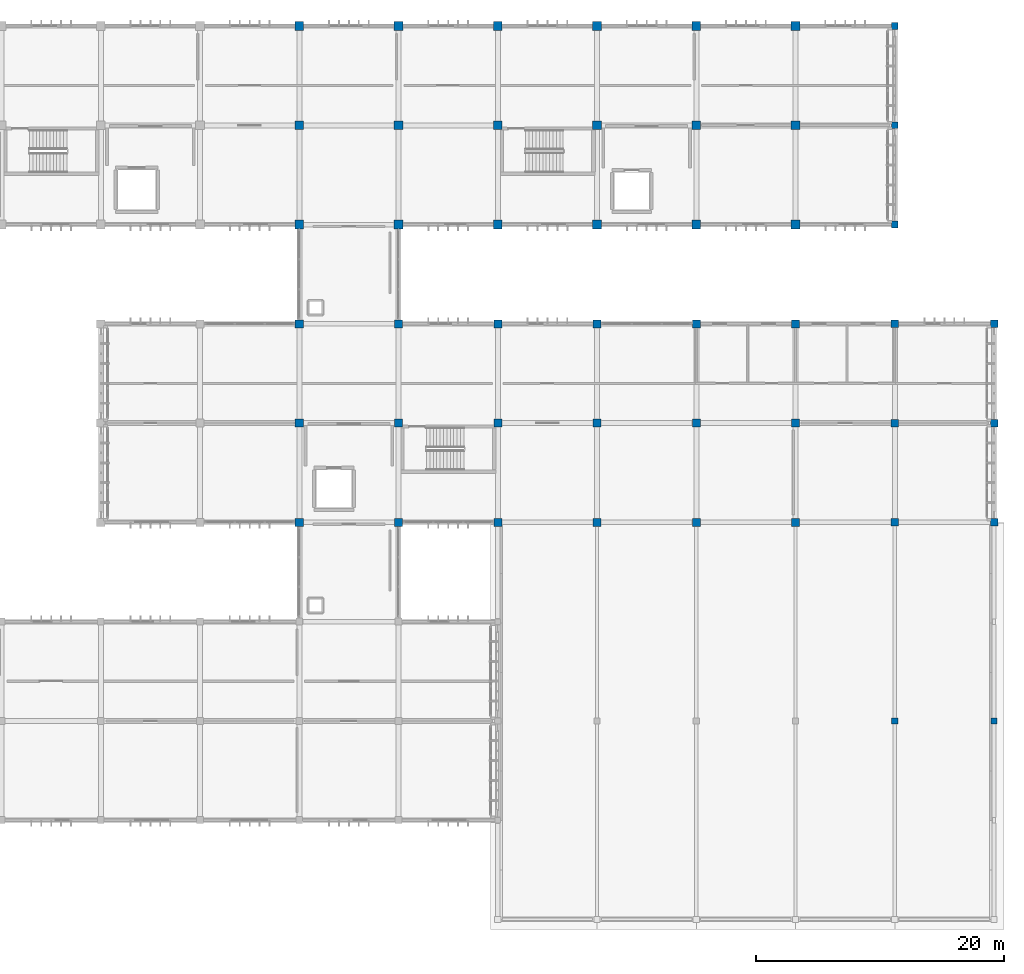
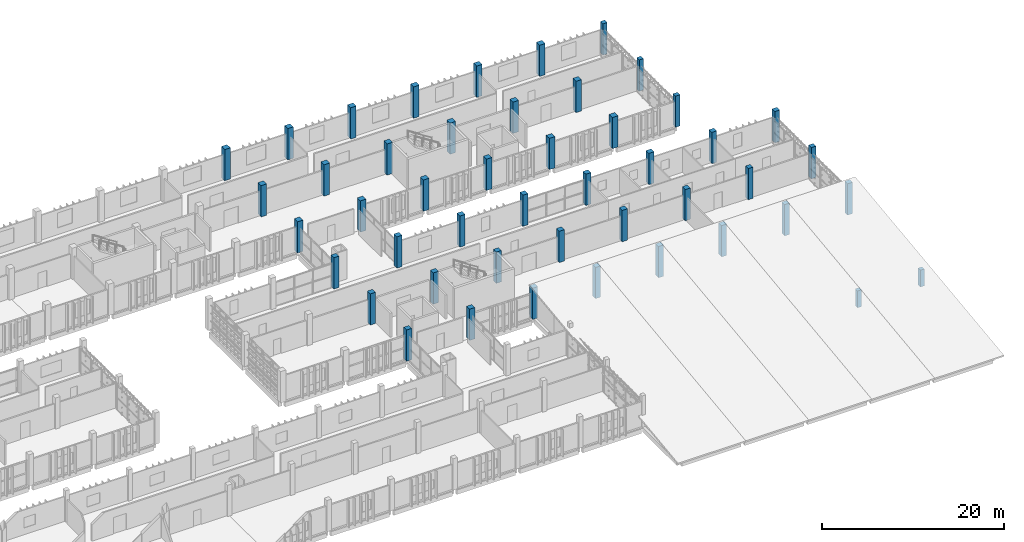
# One storey, part 6 of 83: 47 columns.
"""IFC4 building model written with IfcOpenShell, lengths in metres."""

from ifc_helpers import new_model, si_unit, direction, frame, origin, origin_2d, place, context, subcontext, project, spatial, rectangle, extrude, material, material_profile, profile_set, type_object, element, save


model = new_model("IFC4")

# Units and contexts
model_context = context("Model", 3, precision=1e-05, world=origin(), true_north=direction((0.0, 1.0)))
body_context = subcontext(model_context, "Body", "Model", "MODEL_VIEW")
ifc_project = project(units=[si_unit("LENGTHUNIT", "METRE"), si_unit("AREAUNIT", "SQUARE_METRE"), si_unit("VOLUMEUNIT", "CUBIC_METRE"), si_unit("PLANEANGLEUNIT", "RADIAN"), si_unit("MASSUNIT", "GRAM", prefix="KILO")], contexts=[model_context])

# Site, building, storey
site_placement = place(None, origin())
site = spatial("IfcSite", under=ifc_project, at=site_placement, CompositionType="ELEMENT")
building_placement = place(site_placement, origin())
building = spatial("IfcBuilding", under=site, at=building_placement, Name="Jelvoka-Kovrelna Polytechnic", CompositionType="ELEMENT")
storey_placement = place(building_placement, frame((0.0, 0.0, 13.800048828125)))
storey = spatial("IfcBuildingStorey", under=building, at=storey_placement, Name="L04", CompositionType="ELEMENT", Elevation=13.800048828125)

# Columns
ifc_material_1 = material(Name="Concrete C40/50", Category="concrete")
ifc_material_profile_1 = material_profile(ifc_material_1, rectangle(XDim=0.5, YDim=0.5, at=origin_2d()), Name="RC 500x500")
ifc_profile_set_1 = profile_set([ifc_material_profile_1], Name="Concrete C40/50")
column_type_1 = type_object("IfcColumnType", Name="Col_RC_500", PredefinedType="COLUMN", material=ifc_profile_set_1)
for number, where, z_axis, x_axis, name in (
    (1, (192.0, 16.0, 0.0), (0.0, 0.0, 1.0), (1.0, 0.0, 0.0), "L04 V5 sloped roof column 1687"),
    (2, (200.0, 16.0, 0.0), (0.0, 0.0, 1.0), (1.0, 0.0, 0.0), "L04 V5 sloped roof column 1689"),
):
    element("IfcColumn", number, at=place(storey_placement, frame(where, z_axis=z_axis, x_axis=x_axis)), inside=storey, type_object=column_type_1, Name=name, PredefinedType="COLUMN", context=body_context, shape_type="SweptSolid", body=[
        extrude(rectangle(XDim=0.5, YDim=0.5, at=origin_2d()), origin(), (0.0, 0.0, 1.0), 2.25),
    ])
ifc_material_2 = material(Name="Concrete C40/50", Category="concrete")
ifc_material_profile_2 = material_profile(ifc_material_2, rectangle(XDim=0.550048828125, YDim=0.550048828125, at=origin_2d()), Name="RC 550x550")
ifc_profile_set_2 = profile_set([ifc_material_profile_2], Name="Concrete C40/50")
column_type_2 = type_object("IfcColumnType", Name="Col_RC_550", PredefinedType="COLUMN", material=ifc_profile_set_2)
for number, where, z_axis, x_axis, name in (
    (3, (192.0, 56.0, 0.0), (0.0, 0.0, 1.0), (1.0, 0.0, 0.0), "L04 column 1131"),
    (4, (192.0, 64.0, 0.0), (0.0, 0.0, 1.0), (1.0, 0.0, 0.0), "L04 column 1298"),
    (5, (192.0, 72.0, 0.0), (0.0, 0.0, 1.0), (1.0, 0.0, 0.0), "L04 column 1459"),
):
    element("IfcColumn", number, at=place(storey_placement, frame(where, z_axis=z_axis, x_axis=x_axis)), inside=storey, type_object=column_type_2, Name=name, PredefinedType="COLUMN", context=body_context, shape_type="SweptSolid", body=[
        extrude(rectangle(XDim=0.550048828125, YDim=0.550048828125, at=origin_2d()), origin(), (0.0, 0.0, 1.0), 4.199951171875),
    ])
ifc_material_3 = material(Name="Concrete C40/50", Category="concrete")
ifc_material_profile_3 = material_profile(ifc_material_3, rectangle(XDim=0.60009765625, YDim=0.60009765625, at=origin_2d()), Name="RC 600x600")
ifc_profile_set_3 = profile_set([ifc_material_profile_3], Name="Concrete C40/50")
column_type_3 = type_object("IfcColumnType", Name="Col_RC_600", PredefinedType="COLUMN", material=ifc_profile_set_3)
for number, where, z_axis, x_axis, name in (
    (6, (192.0, 32.0, 0.0), (0.0, 0.0, 1.0), (1.0, 0.0, 0.0), "L04 column 0562"),
    (7, (200.0, 32.0, 0.0), (0.0, 0.0, 1.0), (1.0, 0.0, 0.0), "L04 column 0569"),
    (8, (192.0, 40.0, 0.0), (0.0, 0.0, 1.0), (1.0, 0.0, 0.0), "L04 column 0744"),
    (9, (200.0, 40.0, 0.0), (0.0, 0.0, 1.0), (1.0, 0.0, 0.0), "L04 column 0751"),
    (10, (192.0, 48.0, 0.0), (0.0, 0.0, 1.0), (1.0, 0.0, 0.0), "L04 column 0908"),
    (11, (200.0, 48.0, 0.0), (0.0, 0.0, 1.0), (1.0, 0.0, 0.0), "L04 column 0915"),
):
    element("IfcColumn", number, at=place(storey_placement, frame(where, z_axis=z_axis, x_axis=x_axis)), inside=storey, type_object=column_type_3, Name=name, PredefinedType="COLUMN", context=body_context, shape_type="SweptSolid", body=[
        extrude(rectangle(XDim=0.60009765625, YDim=0.60009765625, at=origin_2d()), origin(), (0.0, 0.0, 1.0), 4.199951171875),
    ])
ifc_material_4 = material(Name="Concrete C40/50", Category="concrete")
ifc_material_profile_4 = material_profile(ifc_material_4, rectangle(XDim=0.64990234375, YDim=0.64990234375, at=origin_2d()), Name="RC 650x650")
ifc_profile_set_4 = profile_set([ifc_material_profile_4], Name="Concrete C40/50")
column_type_4 = type_object("IfcColumnType", Name="Col_RC_650", PredefinedType="COLUMN", material=ifc_profile_set_4)
for number, where, z_axis, x_axis, name in (
    (12, (144.0, 32.0, 0.0), (0.0, 0.0, 1.0), (1.0, 0.0, 0.0), "L04 column 0514"),
    (13, (152.0, 32.0, 0.0), (0.0, 0.0, 1.0), (1.0, 0.0, 0.0), "L04 column 0522"),
    (14, (160.0, 32.0, 0.0), (0.0, 0.0, 1.0), (1.0, 0.0, 0.0), "L04 column 0530"),
    (15, (168.0, 32.0, 0.0), (0.0, 0.0, 1.0), (1.0, 0.0, 0.0), "L04 column 0538"),
    (16, (176.0, 32.0, 0.0), (0.0, 0.0, 1.0), (1.0, 0.0, 0.0), "L04 column 0546"),
    (17, (184.0, 32.0, 0.0), (0.0, 0.0, 1.0), (1.0, 0.0, 0.0), "L04 column 0554"),
    (18, (144.0, 40.0, 0.0), (0.0, 0.0, 1.0), (1.0, 0.0, 0.0), "L04 column 0696"),
    (19, (152.0, 40.0, 0.0), (0.0, 0.0, 1.0), (1.0, 0.0, 0.0), "L04 column 0704"),
    (20, (160.0, 40.0, 0.0), (0.0, 0.0, 1.0), (1.0, 0.0, 0.0), "L04 column 0712"),
    (21, (168.0, 40.0, 0.0), (0.0, 0.0, 1.0), (1.0, 0.0, 0.0), "L04 column 0720"),
    (22, (176.0, 40.0, 0.0), (0.0, 0.0, 1.0), (1.0, 0.0, 0.0), "L04 column 0728"),
    (23, (184.0, 40.0, 0.0), (0.0, 0.0, 1.0), (1.0, 0.0, 0.0), "L04 column 0736"),
    (24, (144.0, 48.0, 0.0), (0.0, 0.0, 1.0), (1.0, 0.0, 0.0), "L04 column 0860"),
    (25, (152.0, 48.0, 0.0), (0.0, 0.0, 1.0), (1.0, 0.0, 0.0), "L04 column 0868"),
    (26, (160.0, 48.0, 0.0), (0.0, 0.0, 1.0), (1.0, 0.0, 0.0), "L04 column 0876"),
    (27, (168.0, 48.0, 0.0), (0.0, 0.0, 1.0), (1.0, 0.0, 0.0), "L04 column 0884"),
    (28, (176.0, 48.0, 0.0), (0.0, 0.0, 1.0), (1.0, 0.0, 0.0), "L04 column 0892"),
    (29, (184.0, 48.0, 0.0), (0.0, 0.0, 1.0), (1.0, 0.0, 0.0), "L04 column 0900"),
):
    element("IfcColumn", number, at=place(storey_placement, frame(where, z_axis=z_axis, x_axis=x_axis)), inside=storey, type_object=column_type_4, Name=name, PredefinedType="COLUMN", context=body_context, shape_type="SweptSolid", body=[
        extrude(rectangle(XDim=0.64990234375, YDim=0.64990234375, at=origin_2d()), origin(), (0.0, 0.0, 1.0), 4.199951171875),
    ])
ifc_material_5 = material(Name="Concrete C40/50", Category="concrete")
ifc_material_profile_5 = material_profile(ifc_material_5, rectangle(XDim=0.699951171875, YDim=0.699951171875, at=origin_2d()), Name="RC 700x700")
ifc_profile_set_5 = profile_set([ifc_material_profile_5], Name="Concrete C40/50")
column_type_5 = type_object("IfcColumnType", Name="Col_RC_700", PredefinedType="COLUMN", material=ifc_profile_set_5)
for number, where, z_axis, x_axis, name in (
    (30, (144.0, 56.0, 0.0), (0.0, 0.0, 1.0), (1.0, 0.0, 0.0), "L04 column 1077"),
    (31, (152.0, 56.0, 0.0), (0.0, 0.0, 1.0), (1.0, 0.0, 0.0), "L04 column 1086"),
    (32, (160.0, 56.0, 0.0), (0.0, 0.0, 1.0), (1.0, 0.0, 0.0), "L04 column 1095"),
    (33, (168.0, 56.0, 0.0), (0.0, 0.0, 1.0), (1.0, 0.0, 0.0), "L04 column 1104"),
    (34, (176.0, 56.0, 0.0), (0.0, 0.0, 1.0), (1.0, 0.0, 0.0), "L04 column 1113"),
    (35, (184.0, 56.0, 0.0), (0.0, 0.0, 1.0), (1.0, 0.0, 0.0), "L04 column 1122"),
    (36, (144.0, 64.0, 0.0), (0.0, 0.0, 1.0), (1.0, 0.0, 0.0), "L04 column 1244"),
    (37, (152.0, 64.0, 0.0), (0.0, 0.0, 1.0), (1.0, 0.0, 0.0), "L04 column 1253"),
    (38, (160.0, 64.0, 0.0), (0.0, 0.0, 1.0), (1.0, 0.0, 0.0), "L04 column 1262"),
    (39, (168.0, 64.0, 0.0), (0.0, 0.0, 1.0), (1.0, 0.0, 0.0), "L04 column 1271"),
    (40, (176.0, 64.0, 0.0), (0.0, 0.0, 1.0), (1.0, 0.0, 0.0), "L04 column 1280"),
    (41, (184.0, 64.0, 0.0), (0.0, 0.0, 1.0), (1.0, 0.0, 0.0), "L04 column 1289"),
    (42, (144.0, 72.0, 0.0), (0.0, 0.0, 1.0), (1.0, 0.0, 0.0), "L04 column 1405"),
    (43, (152.0, 72.0, 0.0), (0.0, 0.0, 1.0), (1.0, 0.0, 0.0), "L04 column 1414"),
    (44, (160.0, 72.0, 0.0), (0.0, 0.0, 1.0), (1.0, 0.0, 0.0), "L04 column 1423"),
    (45, (168.0, 72.0, 0.0), (0.0, 0.0, 1.0), (1.0, 0.0, 0.0), "L04 column 1432"),
    (46, (176.0, 72.0, 0.0), (0.0, 0.0, 1.0), (1.0, 0.0, 0.0), "L04 column 1441"),
    (47, (184.0, 72.0, 0.0), (0.0, 0.0, 1.0), (1.0, 0.0, 0.0), "L04 column 1450"),
):
    element("IfcColumn", number, at=place(storey_placement, frame(where, z_axis=z_axis, x_axis=x_axis)), inside=storey, type_object=column_type_5, Name=name, PredefinedType="COLUMN", context=body_context, shape_type="SweptSolid", body=[
        extrude(rectangle(XDim=0.699951171875, YDim=0.699951171875, at=origin_2d()), origin(), (0.0, 0.0, 1.0), 4.199951171875),
    ])

save(model, "model.ifc")
